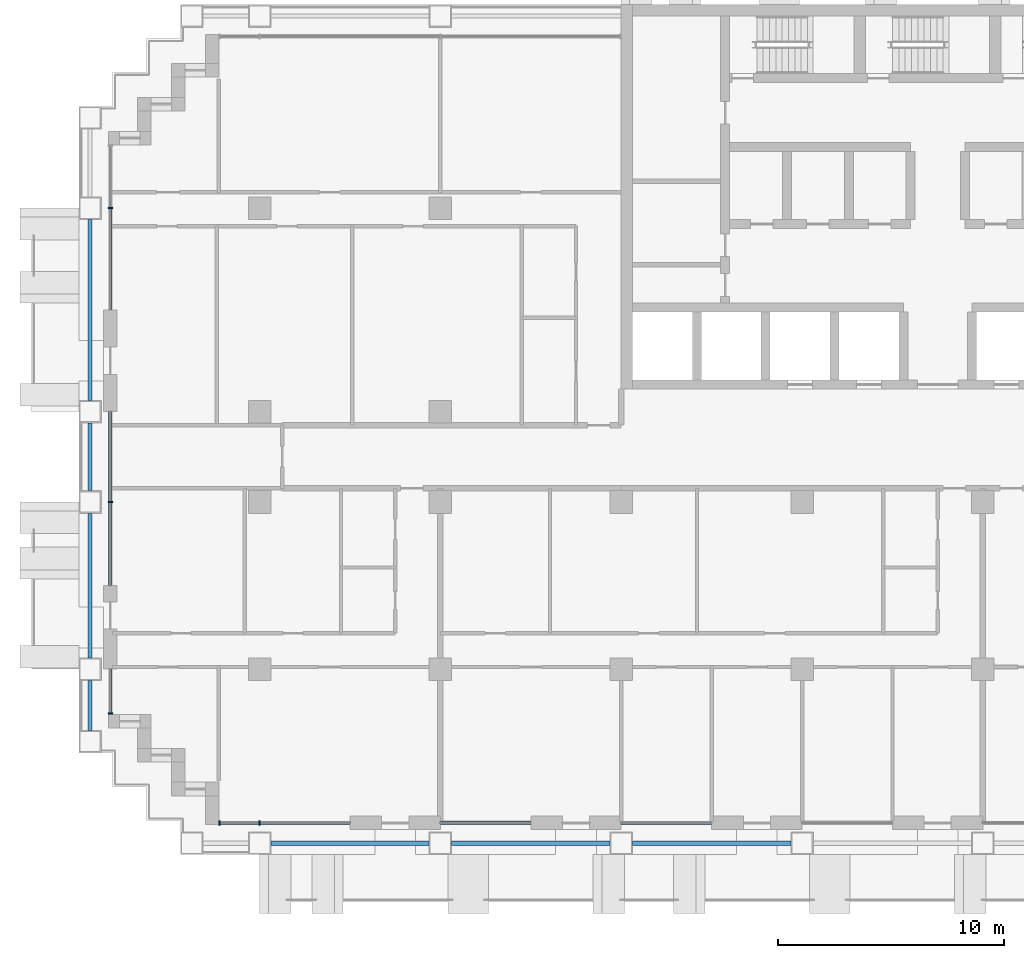
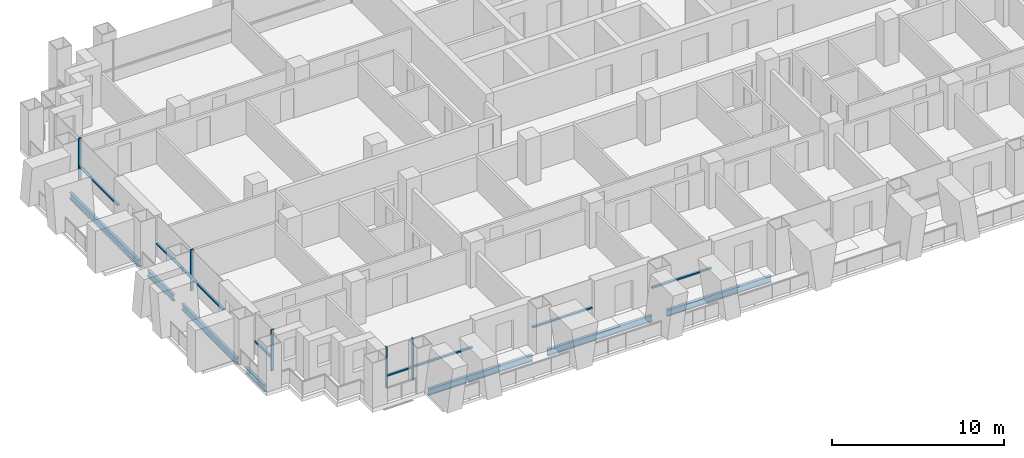
# One storey, part 2 of 18: 13 members, 7 beams, 6 elements without a shape of their own.
"""IFC4 building model written with IfcOpenShell, lengths in metres."""

from ifc_helpers import new_model, si_unit, direction, frame, origin, origin_2d, place, context, subcontext, project, spatial, rectangle, i_section, extrude, material, material_profile, profile_set, type_object, element, aggregate, save


model = new_model("IFC4")

# Units and contexts
model_context = context("Model", 3, precision=1e-05, world=origin(), true_north=direction((0.0, 1.0)))
body_context = subcontext(model_context, "Body", "Model", "MODEL_VIEW")
ifc_project = project(units=[si_unit("LENGTHUNIT", "METRE"), si_unit("AREAUNIT", "SQUARE_METRE"), si_unit("VOLUMEUNIT", "CUBIC_METRE"), si_unit("PLANEANGLEUNIT", "RADIAN"), si_unit("MASSUNIT", "GRAM", prefix="KILO")], contexts=[model_context])

# Site, building, storey
site_placement = place(None, origin())
site = spatial("IfcSite", under=ifc_project, at=site_placement, CompositionType="ELEMENT")
building_placement = place(site_placement, origin())
building = spatial("IfcBuilding", under=site, at=building_placement, Name="Vidyagriha Tower", CompositionType="ELEMENT")
storey_placement = place(building_placement, frame((0.0, 0.0, 41.60009765625)))
storey = spatial("IfcBuildingStorey", under=building, at=storey_placement, Name="L10", CompositionType="ELEMENT", Elevation=41.60009765625)

# Beams
ifc_material_1 = material(Name="Steel ASTM A992 Grade 50", Category="steel")
ifc_material_profile_1 = material_profile(ifc_material_1, i_section(OverallWidth=0.19189453125, OverallDepth=0.46240234375, WebThickness=0.010498046875, FlangeThickness=0.017578125, at=origin_2d()), Name="W18X60")
ifc_profile_set_1 = profile_set([ifc_material_profile_1], Name="Steel ASTM A992 Grade 50")
beam_type = type_object("IfcBeamType", Name="Edge beam W18X60", PredefinedType="SPANDREL", material=ifc_profile_set_1)
for number, where, z_axis, x_axis, name in (
    (1, (-29.5, -17.10009765625, -0.51123046875), (1.0, 0.0, 0.0), (0.0, 1.0, 0.0), "st-beam-L10-S02"),
    (2, (-21.5, -17.10009765625, -0.51123046875), (1.0, 0.0, 0.0), (0.0, 1.0, 0.0), "st-beam-L10-S03"),
    (3, (-13.5, -17.10009765625, -0.51123046875), (1.0, 0.0, 0.0), (0.0, 1.0, 0.0), "st-beam-L10-S04"),
):
    element("IfcBeam", number, at=place(storey_placement, frame(where, z_axis=z_axis, x_axis=x_axis)), inside=storey, type_object=beam_type, Name=name, PredefinedType="SPANDREL", context=body_context, shape_type="SweptSolid", body=[
        extrude(i_section(OverallWidth=0.19189453125, OverallDepth=0.46240234375, WebThickness=0.010498046875, FlangeThickness=0.017578125, at=origin_2d()), origin(), (0.0, 0.0, 1.0), 7.0),
    ])
beam_1_placement = place(storey_placement, frame((-37.5, -12.10009765625, -0.51123046875), z_axis=(0.0, 1.0, 0.0), x_axis=(-1.0, 0.0, 0.0)))
element("IfcBeam", 4, at=beam_1_placement, inside=storey, type_object=beam_type, Name="st-beam-L10-W10", PredefinedType="SPANDREL", context=body_context, shape_type="SweptSolid", body=[
    extrude(i_section(OverallWidth=0.19189453125, OverallDepth=0.46240234375, WebThickness=0.010498046875, FlangeThickness=0.017578125, at=origin_2d()), origin(), (0.0, 0.0, 1.0), 2.2001953125),
])
beam_2_placement = place(storey_placement, frame((-37.5, -8.89990234375, -0.51123046875), z_axis=(0.0, 1.0, 0.0), x_axis=(-1.0, 0.0, 0.0)))
element("IfcBeam", 5, at=beam_2_placement, inside=storey, type_object=beam_type, Name="st-beam-L10-W11", PredefinedType="SPANDREL", context=body_context, shape_type="SweptSolid", body=[
    extrude(i_section(OverallWidth=0.19189453125, OverallDepth=0.46240234375, WebThickness=0.010498046875, FlangeThickness=0.017578125, at=origin_2d()), origin(), (0.0, 0.0, 1.0), 6.39990234375),
])
beam_3_placement = place(storey_placement, frame((-37.5, -1.5, -0.51123046875), z_axis=(0.0, 1.0, 0.0), x_axis=(-1.0, 0.0, 0.0)))
element("IfcBeam", 6, at=beam_3_placement, inside=storey, type_object=beam_type, Name="st-beam-L10-W12", PredefinedType="SPANDREL", context=body_context, shape_type="SweptSolid", body=[
    extrude(i_section(OverallWidth=0.19189453125, OverallDepth=0.46240234375, WebThickness=0.010498046875, FlangeThickness=0.017578125, at=origin_2d()), origin(), (0.0, 0.0, 1.0), 3.0),
])
beam_4_placement = place(storey_placement, frame((-37.5, 2.5, -0.51123046875), z_axis=(0.0, 1.0, 0.0), x_axis=(-1.0, 0.0, 0.0)))
element("IfcBeam", 7, at=beam_4_placement, inside=storey, type_object=beam_type, Name="st-beam-L10-W13", PredefinedType="SPANDREL", context=body_context, shape_type="SweptSolid", body=[
    extrude(i_section(OverallWidth=0.19189453125, OverallDepth=0.46240234375, WebThickness=0.010498046875, FlangeThickness=0.017578125, at=origin_2d()), origin(), (0.0, 0.0, 1.0), 8.0),
])

# Curtain wall, member
ifc_material_2 = material(Name="Aluminium and glass curtain wall", Category="aluminium")
curtain_wall_type = type_object("IfcCurtainWallType", Name="Dwelling skin unitised curtain wall", PredefinedType="USERDEFINED", material=ifc_material_2)
curtain_wall_1_placement = place(storey_placement, origin())
curtain_wall_1 = element("IfcCurtainWall", 8, at=curtain_wall_1_placement, inside=storey, type_object=curtain_wall_type, Name="CW1 dwelling skin", ObjectType="UNITISED", PredefinedType="USERDEFINED")
ifc_material_3 = material(Name="Aluminium black anodised", Category="aluminium")
ifc_material_profile_2 = material_profile(ifc_material_3, rectangle(XDim=0.199951171875, YDim=0.070068359375, at=origin_2d()), Name="Mullion 70x200 black aluminium")
ifc_profile_set_2 = profile_set([ifc_material_profile_2], Name="Aluminium black anodised")
member_type_1 = type_object("IfcMemberType", Name="Mullion 70x200 black aluminium", PredefinedType="MULLION", material=ifc_profile_set_2)
member_1_placement = place(storey_placement, frame((-36.60009765625, 11.0, 0.0)))
member_1 = element("IfcMember", 9, at=member_1_placement, type_object=member_type_1, Name="CW1 mullion 2", PredefinedType="MULLION", context=body_context, shape_type="SweptSolid", body=[
    extrude(rectangle(XDim=0.199951171875, YDim=0.070068359375, at=origin_2d()), origin(), (0.0, 0.0, 1.0), 2.919921875),
])

curtain_wall_2_placement = place(storey_placement, origin())
curtain_wall_2 = element("IfcCurtainWall", 10, at=curtain_wall_2_placement, inside=storey, type_object=curtain_wall_type, Name="CW1 dwelling skin", ObjectType="UNITISED", PredefinedType="USERDEFINED")
member_2_placement = place(storey_placement, frame((-36.60009765625, -2.0, 0.0)))
member_2 = element("IfcMember", 11, at=member_2_placement, type_object=member_type_1, Name="CW1 mullion 2", PredefinedType="MULLION", context=body_context, shape_type="SweptSolid", body=[
    extrude(rectangle(XDim=0.199951171875, YDim=0.070068359375, at=origin_2d()), origin(), (0.0, 0.0, 1.0), 2.919921875),
])

curtain_wall_3_placement = place(storey_placement, origin())
curtain_wall_3 = element("IfcCurtainWall", 12, at=curtain_wall_3_placement, inside=storey, type_object=curtain_wall_type, Name="CW1 dwelling skin", ObjectType="UNITISED", PredefinedType="USERDEFINED")
member_3_placement = place(storey_placement, frame((-36.60009765625, -11.364990234375, 0.0)))
member_3 = element("IfcMember", 13, at=member_3_placement, type_object=member_type_1, Name="CW1 mullion 2", PredefinedType="MULLION", context=body_context, shape_type="SweptSolid", body=[
    extrude(rectangle(XDim=0.199951171875, YDim=0.070068359375, at=origin_2d()), origin(), (0.0, 0.0, 1.0), 2.919921875),
])

# Curtain wall, members
curtain_wall_4_placement = place(storey_placement, origin())
curtain_wall_4 = element("IfcCurtainWall", 14, at=curtain_wall_4_placement, inside=storey, type_object=curtain_wall_type, Name="CW1 dwelling skin", ObjectType="UNITISED", PredefinedType="USERDEFINED")
member_4_placement = place(storey_placement, frame((-31.764892578125, -16.199951171875, 0.0), z_axis=(0.0, 0.0, 1.0), x_axis=(0.0, 1.0, 0.0)))
member_4 = element("IfcMember", 15, at=member_4_placement, type_object=member_type_1, Name="CW1 mullion 1", PredefinedType="MULLION", context=body_context, shape_type="SweptSolid", body=[
    extrude(rectangle(XDim=0.199951171875, YDim=0.070068359375, at=origin_2d()), origin(), (0.0, 0.0, 1.0), 2.919921875),
])
member_5_placement = place(storey_placement, frame((-30.0, -16.199951171875, 0.0), z_axis=(0.0, 0.0, 1.0), x_axis=(0.0, 1.0, 0.0)))
member_5 = element("IfcMember", 16, at=member_5_placement, type_object=member_type_1, Name="CW1 mullion 2", PredefinedType="MULLION", context=body_context, shape_type="SweptSolid", body=[
    extrude(rectangle(XDim=0.199951171875, YDim=0.070068359375, at=origin_2d()), origin(), (0.0, 0.0, 1.0), 2.919921875),
])

# Member
ifc_material_4 = material(Name="Aluminium black anodised", Category="aluminium")
ifc_material_profile_3 = material_profile(ifc_material_4, rectangle(XDim=0.159912109375, YDim=0.10009765625, at=origin_2d()), Name="Transom 100x160 black aluminium")
ifc_profile_set_3 = profile_set([ifc_material_profile_3], Name="Aluminium black anodised")
member_type_2 = type_object("IfcMemberType", Name="Transom 100x160 black aluminium", PredefinedType="USERDEFINED", material=ifc_profile_set_3)
member_6_placement = place(storey_placement, frame((-36.60009765625, 10.965087890625, 0.89990234375), z_axis=(0.0, -1.0, 0.0), x_axis=(1.0, 0.0, 0.0)))
member_6 = element("IfcMember", 17, at=member_6_placement, type_object=member_type_2, Name="CW1 transom 2.1", ObjectType="TRANSOM", PredefinedType="USERDEFINED", context=body_context, shape_type="SweptSolid", body=[
    extrude(rectangle(XDim=0.159912109375, YDim=0.10009765625, at=origin_2d()), origin(), (0.0, 0.0, 1.0), 4.465087890625),
])

aggregate(curtain_wall_1, [member_1, member_6])

member_7_placement = place(storey_placement, frame((-36.60009765625, 2.0, 0.89990234375), z_axis=(0.0, -1.0, 0.0), x_axis=(1.0, 0.0, 0.0)))
member_7 = element("IfcMember", 18, at=member_7_placement, type_object=member_type_2, Name="CW1 transom 1.1", ObjectType="TRANSOM", PredefinedType="USERDEFINED", context=body_context, shape_type="SweptSolid", body=[
    extrude(rectangle(XDim=0.159912109375, YDim=0.10009765625, at=origin_2d()), origin(), (0.0, 0.0, 1.0), 3.965087890625),
])

member_8_placement = place(storey_placement, frame((-36.60009765625, -2.034912109375, 0.89990234375), z_axis=(0.0, -1.0, 0.0), x_axis=(1.0, 0.0, 0.0)))
member_8 = element("IfcMember", 19, at=member_8_placement, type_object=member_type_2, Name="CW1 transom 2.1", ObjectType="TRANSOM", PredefinedType="USERDEFINED", context=body_context, shape_type="SweptSolid", body=[
    extrude(rectangle(XDim=0.159912109375, YDim=0.10009765625, at=origin_2d()), origin(), (0.0, 0.0, 1.0), 3.6650390625),
])

aggregate(curtain_wall_2, [member_2, member_7, member_8])

member_9_placement = place(storey_placement, frame((-36.60009765625, -9.39990234375, 0.89990234375), z_axis=(0.0, -1.0, 0.0), x_axis=(1.0, 0.0, 0.0)))
member_9 = element("IfcMember", 20, at=member_9_placement, type_object=member_type_2, Name="CW1 transom 1.1", ObjectType="TRANSOM", PredefinedType="USERDEFINED", context=body_context, shape_type="SweptSolid", body=[
    extrude(rectangle(XDim=0.159912109375, YDim=0.10009765625, at=origin_2d()), origin(), (0.0, 0.0, 1.0), 1.93017578125),
])

aggregate(curtain_wall_3, [member_3, member_9])

member_10_placement = place(storey_placement, frame((-31.72998046875, -16.199951171875, 0.89990234375), z_axis=(1.0, 0.0, 0.0), x_axis=(0.0, 1.0, 0.0)))
member_10 = element("IfcMember", 21, at=member_10_placement, type_object=member_type_2, Name="CW1 transom 1.1", ObjectType="TRANSOM", PredefinedType="USERDEFINED", context=body_context, shape_type="SweptSolid", body=[
    extrude(rectangle(XDim=0.159912109375, YDim=0.10009765625, at=origin_2d()), origin(), (0.0, 0.0, 1.0), 1.695068359375),
])

member_11_placement = place(storey_placement, frame((-29.965087890625, -16.199951171875, 0.89990234375), z_axis=(1.0, 0.0, 0.0), x_axis=(0.0, 1.0, 0.0)))
member_11 = element("IfcMember", 22, at=member_11_placement, type_object=member_type_2, Name="CW1 transom 2.1", ObjectType="TRANSOM", PredefinedType="USERDEFINED", context=body_context, shape_type="SweptSolid", body=[
    extrude(rectangle(XDim=0.159912109375, YDim=0.10009765625, at=origin_2d()), origin(), (0.0, 0.0, 1.0), 3.965087890625),
])

aggregate(curtain_wall_4, [member_4, member_5, member_10, member_11])

# Curtain wall, member
curtain_wall_5_placement = place(storey_placement, origin())
curtain_wall_5 = element("IfcCurtainWall", 23, at=curtain_wall_5_placement, inside=storey, type_object=curtain_wall_type, Name="CW1 dwelling skin", ObjectType="UNITISED", PredefinedType="USERDEFINED")
member_12_placement = place(storey_placement, frame((-22.0, -16.199951171875, 0.89990234375), z_axis=(1.0, 0.0, 0.0), x_axis=(0.0, 1.0, 0.0)))
member_12 = element("IfcMember", 24, at=member_12_placement, type_object=member_type_2, Name="CW1 transom 1.1", ObjectType="TRANSOM", PredefinedType="USERDEFINED", context=body_context, shape_type="SweptSolid", body=[
    extrude(rectangle(XDim=0.159912109375, YDim=0.10009765625, at=origin_2d()), origin(), (0.0, 0.0, 1.0), 4.0),
])
aggregate(curtain_wall_5, [member_12])

curtain_wall_6_placement = place(storey_placement, origin())
curtain_wall_6 = element("IfcCurtainWall", 25, at=curtain_wall_6_placement, inside=storey, type_object=curtain_wall_type, Name="CW1 dwelling skin", ObjectType="UNITISED", PredefinedType="USERDEFINED")
member_13_placement = place(storey_placement, frame((-14.0, -16.199951171875, 0.89990234375), z_axis=(1.0, 0.0, 0.0), x_axis=(0.0, 1.0, 0.0)))
member_13 = element("IfcMember", 26, at=member_13_placement, type_object=member_type_2, Name="CW1 transom 1.1", ObjectType="TRANSOM", PredefinedType="USERDEFINED", context=body_context, shape_type="SweptSolid", body=[
    extrude(rectangle(XDim=0.159912109375, YDim=0.10009765625, at=origin_2d()), origin(), (0.0, 0.0, 1.0), 4.0),
])
aggregate(curtain_wall_6, [member_13])

save(model, "model.ifc")
